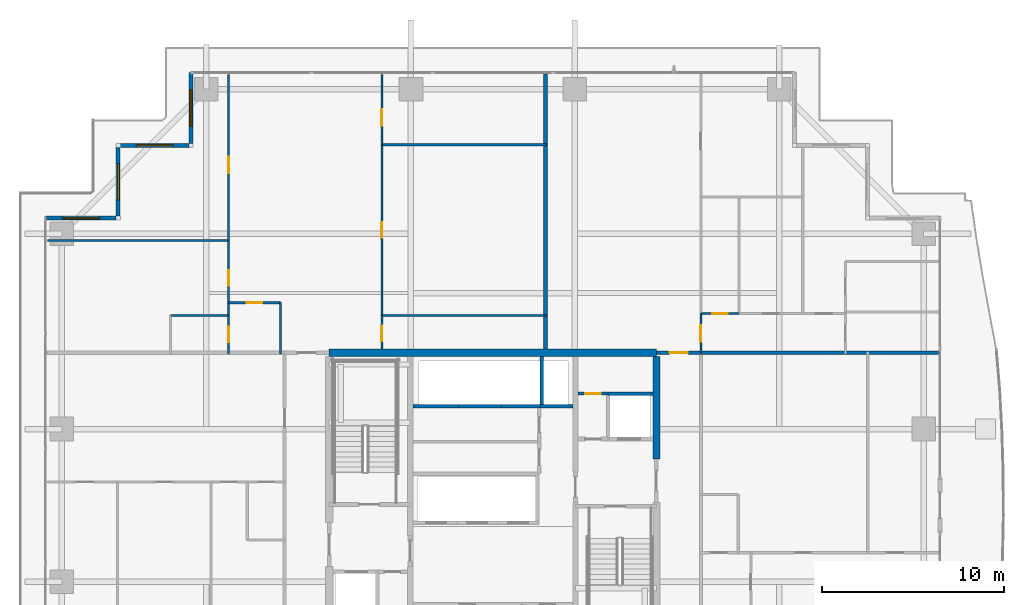
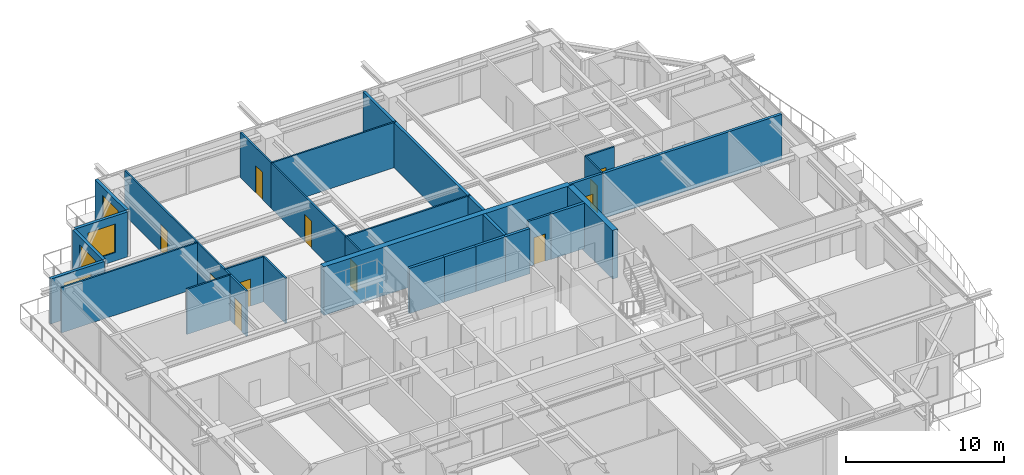
# One storey, part 28 of 35: 30 walls, 11 doors, 4 windows, 15 openings.
"""IFC4 building model written with IfcOpenShell, lengths in metres."""

from ifc_helpers import new_model, si_unit, direction, frame, frame_2d, origin, place, context, subcontext, project, spatial, rectangle, extrude, source, transform, mapped, material, layer, layer_set, type_object, element, fill, save


model = new_model("IFC4")

# Units and contexts
model_context = context("Model", 3, precision=1e-05, world=origin(), true_north=direction((0.0, 1.0)))
body_context = subcontext(model_context, "Body", "Model", "MODEL_VIEW")
ifc_project = project(units=[si_unit("LENGTHUNIT", "METRE"), si_unit("AREAUNIT", "SQUARE_METRE"), si_unit("VOLUMEUNIT", "CUBIC_METRE"), si_unit("PLANEANGLEUNIT", "RADIAN"), si_unit("MASSUNIT", "GRAM", prefix="KILO")], contexts=[model_context])

# Site, building, storey
site_placement = place(None, origin())
site = spatial("IfcSite", under=ifc_project, at=site_placement, CompositionType="ELEMENT")
building_placement = place(site_placement, origin())
building = spatial("IfcBuilding", under=site, at=building_placement, Name="Serunith Strait Residences", CompositionType="ELEMENT")
storey_placement = place(building_placement, frame((0.0, 0.0, 191.39990234375)))
storey = spatial("IfcBuildingStorey", under=building, at=storey_placement, Name="L48", CompositionType="ELEMENT", Elevation=191.39990234375)

# Wall, opening, window
ifc_material_1 = material(Name="Pale-Champagne Aluminium Insulated Panel", Category="aluminium")
ifc_layer_1 = layer(ifc_material_1, 0.219970703125, Name="Pale-Champagne Aluminium Insulated Panel")
ifc_layer_set_1 = layer_set([ifc_layer_1], Name="Pale-Champagne Aluminium Insulated Panel")
wall_type_1 = type_object("IfcWallType", Name="EW-ALUM-220", PredefinedType="ELEMENTEDWALL", material=ifc_layer_set_1)
wall_1_placement = place(storey_placement, frame((15.800048828125, 49.0, 0.0), z_axis=(0.0, 0.0, 1.0), x_axis=(0.0, -1.0, 0.0)))
wall_1 = element("IfcWall", 1, at=wall_1_placement, inside=storey, type_object=wall_type_1, Name="L48 Girih Serrated Corner Wall 12", PredefinedType="ELEMENTEDWALL", context=body_context, shape_type="SweptSolid", body=[
    extrude(rectangle(XDim=3.889892578125, YDim=0.219970703125, at=frame_2d((1.94482421875, 0.0))), origin(), (0.0, 0.0, 1.0), 3.47509765625),
])
opening_1_placement = place(wall_1_placement, frame((0.945068359375, 0.0, 0.64990234375)))
opening_1 = element("IfcOpeningElement", 2, at=opening_1_placement, cuts=wall_1, Name="Opening W-04", PredefinedType="OPENING", context=body_context, shape_type="SweptSolid", body=[
    extrude(rectangle(XDim=2.0, YDim=2.199951171875, at=frame_2d((1.0, 1.10009765625))), frame((0.0, 0.1201171875, 0.0), z_axis=(0.0, -1.0, 0.0), x_axis=(1.0, 0.0, 0.0)), (0.0, 0.0, 1.0), 0.239990234375),
])
ifc_material_2 = material(Name="Ceramic-Fritted Operable Aluminium Window Glass", Category="aluminium")
window_type = type_object("IfcWindowType", Name="WIN-C4", PartitioningType="TRIPLE_PANEL_VERTICAL", PredefinedType="WINDOW", material=ifc_material_2)
shared_shape_1 = source(origin(), body_context, "Body", "SweptSolid", [
    extrude(rectangle(XDim=2.0, YDim=2.199951171875, at=frame_2d((1.0, 1.10009765625))), frame((0.0, 0.030029296875, 0.0), z_axis=(0.0, -1.0, 0.0), x_axis=(1.0, 0.0, 0.0)), (0.0, 0.0, 1.0), 0.06005859375),
])
window_1_placement = place(opening_1_placement, origin())
window_1 = element("IfcWindow", 3, at=window_1_placement, inside=storey, type_object=window_type, Name="L48 Corner Operable Fritted Window 12", OverallHeight=2.199951171875, OverallWidth=2.0, PartitioningType="SINGLE_PANEL", PredefinedType="WINDOW", context=body_context, shape_type="MappedRepresentation", body=[
    mapped(shared_shape_1, transform((0.0, 0.0, 0.0), scale=1.0)),
])
fill(opening_1, window_1)

wall_2_placement = place(storey_placement, frame((15.68994140625, 45.0, 0.0), z_axis=(0.0, 0.0, 1.0), x_axis=(-1.0, 0.0, 0.0)))
wall_2 = element("IfcWall", 4, at=wall_2_placement, inside=storey, type_object=wall_type_1, Name="L48 Girih Serrated Corner Wall 13", PredefinedType="ELEMENTEDWALL", context=body_context, shape_type="SweptSolid", body=[
    extrude(rectangle(XDim=3.780029296875, YDim=0.219970703125, at=frame_2d((1.89013671875, 0.0))), origin(), (0.0, 0.0, 1.0), 3.47509765625),
])
opening_2_placement = place(wall_2_placement, frame((0.889892578125, 0.0, 0.64990234375)))
opening_2 = element("IfcOpeningElement", 5, at=opening_2_placement, cuts=wall_2, Name="Opening W-04", PredefinedType="OPENING", context=body_context, shape_type="SweptSolid", body=[
    extrude(rectangle(XDim=2.0, YDim=2.199951171875, at=frame_2d((1.0, 1.10009765625))), frame((0.0, 0.1201171875, 0.0), z_axis=(0.0, -1.0, 0.0), x_axis=(1.0, 0.0, 0.0)), (0.0, 0.0, 1.0), 0.239990234375),
])
window_2_placement = place(opening_2_placement, origin())
window_2 = element("IfcWindow", 6, at=window_2_placement, inside=storey, type_object=window_type, Name="L48 Corner Operable Fritted Window 13", OverallHeight=2.199951171875, OverallWidth=2.0, PartitioningType="SINGLE_PANEL", PredefinedType="WINDOW", context=body_context, shape_type="MappedRepresentation", body=[
    mapped(shared_shape_1, transform((0.0, 0.0, 0.0), scale=1.0)),
])
fill(opening_2, window_2)

wall_3_placement = place(storey_placement, frame((11.800048828125, 44.889892578125, 0.0), z_axis=(0.0, 0.0, 1.0), x_axis=(0.0, -1.0, 0.0)))
wall_3 = element("IfcWall", 7, at=wall_3_placement, inside=storey, type_object=wall_type_1, Name="L48 Girih Serrated Corner Wall 14", PredefinedType="ELEMENTEDWALL", context=body_context, shape_type="SweptSolid", body=[
    extrude(rectangle(XDim=3.77978515625, YDim=0.219970703125, at=frame_2d((1.889892578125, 0.0))), origin(), (0.0, 0.0, 1.0), 3.47509765625),
])
opening_3_placement = place(wall_3_placement, frame((0.889892578125, 0.0, 0.64990234375)))
opening_3 = element("IfcOpeningElement", 8, at=opening_3_placement, cuts=wall_3, Name="Opening W-04", PredefinedType="OPENING", context=body_context, shape_type="SweptSolid", body=[
    extrude(rectangle(XDim=2.0, YDim=2.199951171875, at=frame_2d((1.0, 1.10009765625))), frame((0.0, 0.1201171875, 0.0), z_axis=(0.0, -1.0, 0.0), x_axis=(1.0, 0.0, 0.0)), (0.0, 0.0, 1.0), 0.239990234375),
])
window_3_placement = place(opening_3_placement, origin())
window_3 = element("IfcWindow", 9, at=window_3_placement, inside=storey, type_object=window_type, Name="L48 Corner Operable Fritted Window 14", OverallHeight=2.199951171875, OverallWidth=2.0, PartitioningType="SINGLE_PANEL", PredefinedType="WINDOW", context=body_context, shape_type="MappedRepresentation", body=[
    mapped(shared_shape_1, transform((0.0, 0.0, 0.0), scale=1.0)),
])
fill(opening_3, window_3)

wall_4_placement = place(storey_placement, frame((11.68994140625, 41.0, 0.0), z_axis=(0.0, 0.0, 1.0), x_axis=(-1.0, 0.0, 0.0)))
wall_4 = element("IfcWall", 10, at=wall_4_placement, inside=storey, type_object=wall_type_1, Name="L48 Girih Serrated Corner Wall 15", PredefinedType="ELEMENTEDWALL", context=body_context, shape_type="SweptSolid", body=[
    extrude(rectangle(XDim=3.889892578125, YDim=0.219970703125, at=frame_2d((1.94482421875, 0.0))), origin(), (0.0, 0.0, 1.0), 3.47509765625),
])
opening_4_placement = place(wall_4_placement, frame((0.945068359375, 0.0, 0.64990234375)))
opening_4 = element("IfcOpeningElement", 11, at=opening_4_placement, cuts=wall_4, Name="Opening W-04", PredefinedType="OPENING", context=body_context, shape_type="SweptSolid", body=[
    extrude(rectangle(XDim=2.0, YDim=2.199951171875, at=frame_2d((1.0, 1.10009765625))), frame((0.0, 0.1201171875, 0.0), z_axis=(0.0, -1.0, 0.0), x_axis=(1.0, 0.0, 0.0)), (0.0, 0.0, 1.0), 0.239990234375),
])
window_4_placement = place(opening_4_placement, origin())
window_4 = element("IfcWindow", 12, at=window_4_placement, inside=storey, type_object=window_type, Name="L48 Corner Operable Fritted Window 15", OverallHeight=2.199951171875, OverallWidth=2.0, PartitioningType="SINGLE_PANEL", PredefinedType="WINDOW", context=body_context, shape_type="MappedRepresentation", body=[
    mapped(shared_shape_1, transform((0.0, 0.0, 0.0), scale=1.0)),
])
fill(opening_4, window_4)

# Wall, opening, door
ifc_material_3 = material(Name="Fire-rated masonry service closet wall", Category="masonry")
ifc_layer_2 = layer(ifc_material_3, 0.14990234375, Name="Fire-rated masonry service closet wall")
ifc_layer_set_2 = layer_set([ifc_layer_2], Name="Fire-rated masonry service closet wall")
wall_type_2 = type_object("IfcWallType", Name="IW-BOH-150", PredefinedType="PARTITIONING", material=ifc_layer_set_2)
wall_5_placement = place(storey_placement, frame((37.10009765625, 31.35009765625, 0.0), z_axis=(0.0, 0.0, 1.0), x_axis=(1.0, 0.0, 0.0)))
wall_5 = element("IfcWall", 13, at=wall_5_placement, inside=storey, type_object=wall_type_2, Name="L48 Partition Wall 013", PredefinedType="PARTITIONING", context=body_context, shape_type="SweptSolid", body=[
    extrude(rectangle(XDim=1.64794921875, YDim=0.14990234375, at=frame_2d((0.823974609375, 0.0))), origin(), (0.0, 0.0, 1.0), 3.489990234375),
])
opening_5_placement = place(wall_5_placement, frame((0.39892578125, 0.0, 0.0)))
opening_5 = element("IfcOpeningElement", 14, at=opening_5_placement, cuts=wall_5, Name="Opening FD-850", PredefinedType="OPENING", context=body_context, shape_type="SweptSolid", body=[
    extrude(rectangle(XDim=0.85009765625, YDim=2.10009765625, at=frame_2d((0.425048828125, 1.050048828125))), frame((0.0, 0.0849609375, 0.0), z_axis=(0.0, -1.0, 0.0), x_axis=(1.0, 0.0, 0.0)), (0.0, 0.0, 1.0), 0.169921875),
])
ifc_material_4 = material(Name="Powder-coated steel service closet door", Category="steel")
door_type_1 = type_object("IfcDoorType", Name="FD-BOH-850", OperationType="NOTDEFINED", PredefinedType="DOOR", material=ifc_material_4)
shared_shape_2 = source(origin(), body_context, "Body", "SweptSolid", [
    extrude(rectangle(XDim=0.85009765625, YDim=2.10009765625, at=frame_2d((0.425048828125, 1.050048828125))), frame((0.0, 0.02490234375, 0.0), z_axis=(0.0, -1.0, 0.0), x_axis=(1.0, 0.0, 0.0)), (0.0, 0.0, 1.0), 0.050048828125),
])
door_1_placement = place(opening_5_placement, origin())
door_1 = element("IfcDoor", 15, at=door_1_placement, inside=storey, type_object=door_type_1, Name="L48 Refuse Store Door", OperationType="SINGLE_SWING_RIGHT", OverallHeight=2.10009765625, OverallWidth=0.85009765625, PredefinedType="DOOR", context=body_context, shape_type="MappedRepresentation", body=[
    mapped(shared_shape_2, transform((0.0, 0.0, 0.0), scale=1.0)),
])
fill(opening_5, door_1)

ifc_material_5 = material(Name="Fire-rated acoustic gypsum partition")
ifc_layer_3 = layer(ifc_material_5, 0.179931640625, Name="Fire-rated acoustic gypsum partition")
ifc_layer_set_3 = layer_set([ifc_layer_3], Name="Fire-rated acoustic gypsum partition")
wall_type_3 = type_object("IfcWallType", Name="IW-CORR-180", PredefinedType="PARTITIONING", material=ifc_layer_set_3)
wall_6_placement = place(storey_placement, frame((41.402099609375, 33.60009765625, 0.0), z_axis=(0.0, 0.0, 1.0), x_axis=(1.0, 0.0, 0.0)))
wall_6 = element("IfcWall", 16, at=wall_6_placement, inside=storey, type_object=wall_type_3, Name="L48 Partition Wall 031", PredefinedType="PARTITIONING", context=body_context, shape_type="SweptSolid", body=[
    extrude(rectangle(XDim=2.44580078125, YDim=0.179931640625, at=frame_2d((1.222900390625, 0.0))), origin(), (0.0, 0.0, 1.0), 3.489990234375),
])
opening_6_placement = place(wall_6_placement, frame((0.722900390625, 0.0, 0.0)))
opening_6 = element("IfcOpeningElement", 17, at=opening_6_placement, cuts=wall_6, Name="Opening D-APT1000", PredefinedType="OPENING", context=body_context, shape_type="SweptSolid", body=[
    extrude(rectangle(XDim=1.0, YDim=2.14990234375, at=frame_2d((0.5, 1.074951171875))), frame((0.0, 0.10009765625, 0.0), z_axis=(0.0, -1.0, 0.0), x_axis=(1.0, 0.0, 0.0)), (0.0, 0.0, 1.0), 0.199951171875),
])
ifc_material_6 = material(Name="Solid timber engineered fire door", Category="wood")
door_type_2 = type_object("IfcDoorType", Name="ID-APT-1000", OperationType="NOTDEFINED", PredefinedType="DOOR", material=ifc_material_6)
shared_shape_3 = source(origin(), body_context, "Body", "SweptSolid", [
    extrude(rectangle(XDim=1.0, YDim=2.14990234375, at=frame_2d((0.5, 1.074951171875))), frame((0.0, 0.02490234375, 0.0), z_axis=(0.0, -1.0, 0.0), x_axis=(1.0, 0.0, 0.0)), (0.0, 0.0, 1.0), 0.050048828125),
])
door_2_placement = place(opening_6_placement, origin())
door_2 = element("IfcDoor", 18, at=door_2_placement, inside=storey, type_object=door_type_2, Name="L48 Unit 05 Entrance Door", OperationType="SINGLE_SWING_LEFT", OverallHeight=2.14990234375, OverallWidth=1.0, PredefinedType="DOOR", context=body_context, shape_type="MappedRepresentation", body=[
    mapped(shared_shape_3, transform((0.0, 0.0, 0.0), scale=1.0)),
])
fill(opening_6, door_2)

ifc_material_7 = material(Name="Lightweight steel-stud gypsum partition", Category="steel")
ifc_layer_4 = layer(ifc_material_7, 0.1201171875, Name="Lightweight steel-stud gypsum partition")
ifc_layer_set_4 = layer_set([ifc_layer_4], Name="Lightweight steel-stud gypsum partition")
wall_type_4 = type_object("IfcWallType", Name="IW-PART-120", PredefinedType="PARTITIONING", material=ifc_layer_set_4)
wall_7_placement = place(storey_placement, frame((17.8701171875, 36.35009765625, 0.0), z_axis=(0.0, 0.0, 1.0), x_axis=(1.0, 0.0, 0.0)))
wall_7 = element("IfcWall", 19, at=wall_7_placement, inside=storey, type_object=wall_type_4, Name="L48 Partition Wall 055", PredefinedType="PARTITIONING", context=body_context, shape_type="SweptSolid", body=[
    extrude(rectangle(XDim=2.849853515625, YDim=0.1201171875, at=frame_2d((1.4248046875, 0.0))), origin(), (0.0, 0.0, 1.0), 3.489990234375),
])
opening_7_placement = place(wall_7_placement, frame((1.0, 0.0, 0.0)))
opening_7 = element("IfcOpeningElement", 20, at=opening_7_placement, cuts=wall_7, Name="Opening D-RM850", PredefinedType="OPENING", context=body_context, shape_type="SweptSolid", body=[
    extrude(rectangle(XDim=0.85009765625, YDim=2.10009765625, at=frame_2d((0.425048828125, 1.050048828125))), frame((0.0, 0.070068359375, 0.0), z_axis=(0.0, -1.0, 0.0), x_axis=(1.0, 0.0, 0.0)), (0.0, 0.0, 1.0), 0.14013671875),
])
ifc_material_8 = material(Name="Engineered timber flush study and kitchen door", Category="wood")
door_type_3 = type_object("IfcDoorType", Name="ID-ROOM-850", OperationType="NOTDEFINED", PredefinedType="DOOR", material=ifc_material_8)
door_3_placement = place(opening_7_placement, origin())
door_3 = element("IfcDoor", 21, at=door_3_placement, inside=storey, type_object=door_type_3, Name="L48 Kitchen 4804 Door", OperationType="SINGLE_SWING_RIGHT", OverallHeight=2.10009765625, OverallWidth=0.85009765625, PredefinedType="DOOR", context=body_context, shape_type="MappedRepresentation", body=[
    mapped(shared_shape_2, transform((0.0, 0.0, 0.0), scale=1.0)),
])
fill(opening_7, door_3)

# Wall
wall_8_placement = place(storey_placement, frame((20.719970703125, 36.35009765625, 0.0), z_axis=(0.0, 0.0, 1.0), x_axis=(0.0, -1.0, 0.0)))
element("IfcWall", 22, at=wall_8_placement, inside=storey, type_object=wall_type_4, Name="L48 Partition Wall 056", PredefinedType="PARTITIONING", context=body_context, shape_type="SweptSolid", body=[
    extrude(rectangle(XDim=2.81005859375, YDim=0.1201171875, at=frame_2d((1.405029296875, 0.0))), origin(), (0.0, 0.0, 1.0), 3.489990234375),
])

# Wall, opening, door
wall_9_placement = place(storey_placement, frame((17.8701171875, 48.905029296875, 0.0), z_axis=(0.0, 0.0, 1.0), x_axis=(0.0, -1.0, 0.0)))
wall_9 = element("IfcWall", 23, at=wall_9_placement, inside=storey, type_object=wall_type_4, Name="L48 Partition Wall 057", PredefinedType="PARTITIONING", context=body_context, shape_type="SweptSolid", body=[
    extrude(rectangle(XDim=9.14013671875, YDim=0.1201171875, at=frame_2d((4.570068359375, 0.0))), origin(), (0.0, 0.0, 1.0), 3.489990234375),
])
opening_8_placement = place(wall_9_placement, frame((4.531982421875, 0.0, 0.0)))
opening_8 = element("IfcOpeningElement", 24, at=opening_8_placement, cuts=wall_9, Name="Opening D-RM900", PredefinedType="OPENING", context=body_context, shape_type="SweptSolid", body=[
    extrude(rectangle(XDim=0.89990234375, YDim=2.10009765625, at=frame_2d((0.449951171875, 1.050048828125))), frame((0.0, 0.070068359375, 0.0), z_axis=(0.0, -1.0, 0.0), x_axis=(1.0, 0.0, 0.0)), (0.0, 0.0, 1.0), 0.14013671875),
])
ifc_material_9 = material(Name="Engineered timber flush bedroom door", Category="wood")
door_type_4 = type_object("IfcDoorType", Name="ID-ROOM-900", OperationType="NOTDEFINED", PredefinedType="DOOR", material=ifc_material_9)
shared_shape_4 = source(origin(), body_context, "Body", "SweptSolid", [
    extrude(rectangle(XDim=0.89990234375, YDim=2.10009765625, at=frame_2d((0.449951171875, 1.050048828125))), frame((0.0, 0.02490234375, 0.0), z_axis=(0.0, -1.0, 0.0), x_axis=(1.0, 0.0, 0.0)), (0.0, 0.0, 1.0), 0.050048828125),
])
door_4_placement = place(opening_8_placement, origin())
door_4 = element("IfcDoor", 25, at=door_4_placement, inside=storey, type_object=door_type_4, Name="L48 Master Bedroom 1 4804 Door", OperationType="SINGLE_SWING_LEFT", OverallHeight=2.10009765625, OverallWidth=0.89990234375, PredefinedType="DOOR", context=body_context, shape_type="MappedRepresentation", body=[
    mapped(shared_shape_4, transform((0.0, 0.0, 0.0), scale=1.0)),
])
fill(opening_8, door_4)

# Walls
wall_10_placement = place(storey_placement, frame((7.89501953125, 39.764892578125, 0.0), z_axis=(0.0, 0.0, 1.0), x_axis=(1.0, 0.0, 0.0)))
element("IfcWall", 26, at=wall_10_placement, inside=storey, type_object=wall_type_4, Name="L48 Partition Wall 058", PredefinedType="PARTITIONING", context=body_context, shape_type="SweptSolid", body=[
    extrude(rectangle(XDim=9.97509765625, YDim=0.1201171875, at=frame_2d((4.987548828125, 0.0))), origin(), (0.0, 0.0, 1.0), 3.489990234375),
])
wall_11_placement = place(storey_placement, frame((14.669921875, 35.64990234375, 0.0), z_axis=(0.0, 0.0, 1.0), x_axis=(1.0, 0.0, 0.0)))
element("IfcWall", 27, at=wall_11_placement, inside=storey, type_object=wall_type_4, Name="L48 Partition Wall 059", PredefinedType="PARTITIONING", context=body_context, shape_type="SweptSolid", body=[
    extrude(rectangle(XDim=3.2001953125, YDim=0.1201171875, at=frame_2d((1.60009765625, 0.0))), origin(), (0.0, 0.0, 1.0), 3.489990234375),
])

# Wall, opening, door
wall_12_placement = place(storey_placement, frame((17.8701171875, 39.762939453125, 0.0), z_axis=(0.0, 0.0, 1.0), x_axis=(0.0, -1.0, 0.0)))
wall_12 = element("IfcWall", 28, at=wall_12_placement, inside=storey, type_object=wall_type_4, Name="L48 Partition Wall 061", PredefinedType="PARTITIONING", context=body_context, shape_type="SweptSolid", body=[
    extrude(rectangle(XDim=4.113037109375, YDim=0.1201171875, at=frame_2d((2.056640625, 0.0))), origin(), (0.0, 0.0, 1.0), 3.489990234375),
])
opening_9_placement = place(wall_12_placement, frame((1.631103515625, 0.0, 0.0)))
opening_9 = element("IfcOpeningElement", 29, at=opening_9_placement, cuts=wall_12, Name="Opening D-RM850", PredefinedType="OPENING", context=body_context, shape_type="SweptSolid", body=[
    extrude(rectangle(XDim=0.85009765625, YDim=2.10009765625, at=frame_2d((0.425048828125, 1.050048828125))), frame((0.0, 0.070068359375, 0.0), z_axis=(0.0, -1.0, 0.0), x_axis=(1.0, 0.0, 0.0)), (0.0, 0.0, 1.0), 0.14013671875),
])
door_5_placement = place(opening_9_placement, origin())
door_5 = element("IfcDoor", 30, at=door_5_placement, inside=storey, type_object=door_type_3, Name="L48 Walk-in Wardrobe 4804 Door", OperationType="SINGLE_SWING_RIGHT", OverallHeight=2.10009765625, OverallWidth=0.85009765625, PredefinedType="DOOR", context=body_context, shape_type="MappedRepresentation", body=[
    mapped(shared_shape_2, transform((0.0, 0.0, 0.0), scale=1.0)),
])
fill(opening_9, door_5)

wall_13_placement = place(storey_placement, frame((17.8701171875, 35.64794921875, 0.0), z_axis=(0.0, 0.0, 1.0), x_axis=(0.0, -1.0, 0.0)))
wall_13 = element("IfcWall", 31, at=wall_13_placement, inside=storey, type_object=wall_type_4, Name="L48 Partition Wall 062", PredefinedType="PARTITIONING", context=body_context, shape_type="SweptSolid", body=[
    extrude(rectangle(XDim=2.10791015625, YDim=0.1201171875, at=frame_2d((1.053955078125, 0.0))), origin(), (0.0, 0.0, 1.0), 3.489990234375),
])
opening_10_placement = place(wall_13_placement, frame((0.62890625, 0.0, 0.0)))
opening_10 = element("IfcOpeningElement", 32, at=opening_10_placement, cuts=wall_13, Name="Opening D-BTH850", PredefinedType="OPENING", context=body_context, shape_type="SweptSolid", body=[
    extrude(rectangle(XDim=0.85009765625, YDim=2.10009765625, at=frame_2d((0.425048828125, 1.050048828125))), frame((0.0, 0.070068359375, 0.0), z_axis=(0.0, -1.0, 0.0), x_axis=(1.0, 0.0, 0.0)), (0.0, 0.0, 1.0), 0.14013671875),
])
ifc_material_10 = material(Name="Moisture-resistant timber bathroom door", Category="wood")
door_type_5 = type_object("IfcDoorType", Name="ID-BATH-850", OperationType="NOTDEFINED", PredefinedType="DOOR", material=ifc_material_10)
door_6_placement = place(opening_10_placement, origin())
door_6 = element("IfcDoor", 33, at=door_6_placement, inside=storey, type_object=door_type_5, Name="L48 Bathroom 4804 Door", OperationType="SINGLE_SWING_LEFT", OverallHeight=2.10009765625, OverallWidth=0.85009765625, PredefinedType="DOOR", context=body_context, shape_type="MappedRepresentation", body=[
    mapped(shared_shape_2, transform((0.0, 0.0, 0.0), scale=1.0)),
])
fill(opening_10, door_6)

wall_14_placement = place(storey_placement, frame((26.300048828125, 48.905029296875, 0.0), z_axis=(0.0, 0.0, 1.0), x_axis=(0.0, -1.0, 0.0)))
wall_14 = element("IfcWall", 34, at=wall_14_placement, inside=storey, type_object=wall_type_4, Name="L48 Partition Wall 063", PredefinedType="PARTITIONING", context=body_context, shape_type="SweptSolid", body=[
    extrude(rectangle(XDim=3.867919921875, YDim=0.1201171875, at=frame_2d((1.93408203125, 0.0))), origin(), (0.0, 0.0, 1.0), 3.489990234375),
])
opening_11_placement = place(wall_14_placement, frame((1.912109375, 0.0, 0.0)))
opening_11 = element("IfcOpeningElement", 35, at=opening_11_placement, cuts=wall_14, Name="Opening D-RM900", PredefinedType="OPENING", context=body_context, shape_type="SweptSolid", body=[
    extrude(rectangle(XDim=0.89990234375, YDim=2.10009765625, at=frame_2d((0.449951171875, 1.050048828125))), frame((0.0, 0.070068359375, 0.0), z_axis=(0.0, -1.0, 0.0), x_axis=(1.0, 0.0, 0.0)), (0.0, 0.0, 1.0), 0.14013671875),
])
door_7_placement = place(opening_11_placement, origin())
door_7 = element("IfcDoor", 36, at=door_7_placement, inside=storey, type_object=door_type_4, Name="L48 Bedroom 2 4804 Door", OperationType="SINGLE_SWING_RIGHT", OverallHeight=2.10009765625, OverallWidth=0.89990234375, PredefinedType="DOOR", context=body_context, shape_type="MappedRepresentation", body=[
    mapped(shared_shape_4, transform((0.0, 0.0, 0.0), scale=1.0)),
])
fill(opening_11, door_7)

# Walls
for number, where, z_axis, x_axis, name in (
    (37, (26.300048828125, 45.037109375, 0.0), (0.0, 0.0, 1.0), (1.0, 0.0, 0.0), "L48 Partition Wall 064"),
    (38, (26.300048828125, 35.64990234375, 0.0), (0.0, 0.0, 1.0), (1.0, 0.0, 0.0), "L48 Partition Wall 065"),
):
    element("IfcWall", number, at=place(storey_placement, frame(where, z_axis=z_axis, x_axis=x_axis)), inside=storey, type_object=wall_type_4, Name=name, PredefinedType="PARTITIONING", context=body_context, shape_type="SweptSolid", body=[
        extrude(rectangle(XDim=9.06005859375, YDim=0.1201171875, at=frame_2d((4.530029296875, 0.0))), origin(), (0.0, 0.0, 1.0), 3.489990234375),
    ])

# Wall, opening, door
wall_15_placement = place(storey_placement, frame((26.300048828125, 45.034912109375, 0.0), z_axis=(0.0, 0.0, 1.0), x_axis=(0.0, -1.0, 0.0)))
wall_15 = element("IfcWall", 39, at=wall_15_placement, inside=storey, type_object=wall_type_4, Name="L48 Partition Wall 066", PredefinedType="PARTITIONING", context=body_context, shape_type="SweptSolid", body=[
    extrude(rectangle(XDim=9.385009765625, YDim=0.1201171875, at=frame_2d((4.6923828125, 0.0))), origin(), (0.0, 0.0, 1.0), 3.489990234375),
])
opening_12_placement = place(wall_15_placement, frame((4.26708984375, 0.0, 0.0)))
opening_12 = element("IfcOpeningElement", 40, at=opening_12_placement, cuts=wall_15, Name="Opening D-RM850", PredefinedType="OPENING", context=body_context, shape_type="SweptSolid", body=[
    extrude(rectangle(XDim=0.85009765625, YDim=2.10009765625, at=frame_2d((0.425048828125, 1.050048828125))), frame((0.0, 0.070068359375, 0.0), z_axis=(0.0, -1.0, 0.0), x_axis=(1.0, 0.0, 0.0)), (0.0, 0.0, 1.0), 0.14013671875),
])
door_8_placement = place(opening_12_placement, origin())
door_8 = element("IfcDoor", 41, at=door_8_placement, inside=storey, type_object=door_type_3, Name="L48 Walk-in Wardrobe 4804 Door", OperationType="SINGLE_SWING_LEFT", OverallHeight=2.10009765625, OverallWidth=0.85009765625, PredefinedType="DOOR", context=body_context, shape_type="MappedRepresentation", body=[
    mapped(shared_shape_2, transform((0.0, 0.0, 0.0), scale=1.0)),
])
fill(opening_12, door_8)

wall_16_placement = place(storey_placement, frame((26.300048828125, 35.64794921875, 0.0), z_axis=(0.0, 0.0, 1.0), x_axis=(0.0, -1.0, 0.0)))
wall_16 = element("IfcWall", 42, at=wall_16_placement, inside=storey, type_object=wall_type_4, Name="L48 Partition Wall 067", PredefinedType="PARTITIONING", context=body_context, shape_type="SweptSolid", body=[
    extrude(rectangle(XDim=1.847900390625, YDim=0.1201171875, at=frame_2d((0.923828125, 0.0))), origin(), (0.0, 0.0, 1.0), 3.489990234375),
])
opening_13_placement = place(wall_16_placement, frame((0.569091796875, 0.0, 0.0)))
opening_13 = element("IfcOpeningElement", 43, at=opening_13_placement, cuts=wall_16, Name="Opening D-BTH850", PredefinedType="OPENING", context=body_context, shape_type="SweptSolid", body=[
    extrude(rectangle(XDim=0.85009765625, YDim=2.10009765625, at=frame_2d((0.425048828125, 1.050048828125))), frame((0.0, 0.070068359375, 0.0), z_axis=(0.0, -1.0, 0.0), x_axis=(1.0, 0.0, 0.0)), (0.0, 0.0, 1.0), 0.14013671875),
])
door_9_placement = place(opening_13_placement, origin())
door_9 = element("IfcDoor", 44, at=door_9_placement, inside=storey, type_object=door_type_5, Name="L48 Bathroom 4804 Door", OperationType="SINGLE_SWING_RIGHT", OverallHeight=2.10009765625, OverallWidth=0.85009765625, PredefinedType="DOOR", context=body_context, shape_type="MappedRepresentation", body=[
    mapped(shared_shape_2, transform((0.0, 0.0, 0.0), scale=1.0)),
])
fill(opening_13, door_9)

wall_17_placement = place(storey_placement, frame((43.85009765625, 35.75, 0.0), z_axis=(0.0, 0.0, 1.0), x_axis=(0.0, -1.0, 0.0)))
wall_17 = element("IfcWall", 45, at=wall_17_placement, inside=storey, type_object=wall_type_4, Name="L48 Partition Wall 068", PredefinedType="PARTITIONING", context=body_context, shape_type="SweptSolid", body=[
    extrude(rectangle(XDim=2.14794921875, YDim=0.1201171875, at=frame_2d((1.073974609375, 0.0))), origin(), (0.0, 0.0, 1.0), 3.489990234375),
])
opening_14_placement = place(wall_17_placement, frame((0.64208984375, 0.0, 0.0)))
opening_14 = element("IfcOpeningElement", 46, at=opening_14_placement, cuts=wall_17, Name="Opening D-RM900", PredefinedType="OPENING", context=body_context, shape_type="SweptSolid", body=[
    extrude(rectangle(XDim=0.89990234375, YDim=2.10009765625, at=frame_2d((0.449951171875, 1.050048828125))), frame((0.0, 0.070068359375, 0.0), z_axis=(0.0, -1.0, 0.0), x_axis=(1.0, 0.0, 0.0)), (0.0, 0.0, 1.0), 0.14013671875),
])
door_10_placement = place(opening_14_placement, origin())
door_10 = element("IfcDoor", 47, at=door_10_placement, inside=storey, type_object=door_type_4, Name="L48 Hall E 4805 Door", OperationType="SINGLE_SWING_LEFT", OverallHeight=2.10009765625, OverallWidth=0.89990234375, PredefinedType="DOOR", context=body_context, shape_type="MappedRepresentation", body=[
    mapped(shared_shape_4, transform((0.0, 0.0, 0.0), scale=1.0)),
])
fill(opening_14, door_10)

wall_18_placement = place(storey_placement, frame((43.85009765625, 35.75, 0.0), z_axis=(0.0, 0.0, 1.0), x_axis=(1.0, 0.0, 0.0)))
wall_18 = element("IfcWall", 48, at=wall_18_placement, inside=storey, type_object=wall_type_4, Name="L48 Partition Wall 074", PredefinedType="PARTITIONING", context=body_context, shape_type="SweptSolid", body=[
    extrude(rectangle(XDim=2.099853515625, YDim=0.1201171875, at=frame_2d((1.0498046875, 0.0))), origin(), (0.0, 0.0, 1.0), 3.489990234375),
])
opening_15_placement = place(wall_18_placement, frame((0.625, 0.0, 0.0)))
opening_15 = element("IfcOpeningElement", 49, at=opening_15_placement, cuts=wall_18, Name="Opening D-BTH850", PredefinedType="OPENING", context=body_context, shape_type="SweptSolid", body=[
    extrude(rectangle(XDim=0.85009765625, YDim=2.10009765625, at=frame_2d((0.425048828125, 1.050048828125))), frame((0.0, 0.070068359375, 0.0), z_axis=(0.0, -1.0, 0.0), x_axis=(1.0, 0.0, 0.0)), (0.0, 0.0, 1.0), 0.14013671875),
])
door_11_placement = place(opening_15_placement, origin())
door_11 = element("IfcDoor", 50, at=door_11_placement, inside=storey, type_object=door_type_5, Name="L48 Bathroom 4805 Door", OperationType="SINGLE_SWING_LEFT", OverallHeight=2.10009765625, OverallWidth=0.85009765625, PredefinedType="DOOR", context=body_context, shape_type="MappedRepresentation", body=[
    mapped(shared_shape_2, transform((0.0, 0.0, 0.0), scale=1.0)),
])
fill(opening_15, door_11)

# Walls
ifc_material_11 = material(Name="Twin-stud acoustic gypsum board partition")
ifc_layer_5 = layer(ifc_material_11, 0.199951171875, Name="Twin-stud acoustic gypsum board partition")
ifc_layer_set_5 = layer_set([ifc_layer_5], Name="Twin-stud acoustic gypsum board partition")
wall_type_5 = type_object("IfcWallType", Name="IW-PARTY-200", PredefinedType="PARTITIONING", material=ifc_layer_set_5)
wall_19_placement = place(storey_placement, frame((35.300048828125, 33.800048828125, 0.0), z_axis=(0.0, 0.0, 1.0), x_axis=(0.0, 1.0, 0.0)))
element("IfcWall", 51, at=wall_19_placement, inside=storey, type_object=wall_type_5, Name="L48 Partition Wall 022", PredefinedType="PARTITIONING", context=body_context, shape_type="SweptSolid", body=[
    extrude(rectangle(XDim=15.117919921875, YDim=0.199951171875, at=frame_2d((7.55908203125, 0.0))), origin(), (0.0, 0.0, 1.0), 3.489990234375),
])
wall_20_placement = place(storey_placement, frame((43.85009765625, 33.60009765625, 0.0), z_axis=(0.0, 0.0, 1.0), x_axis=(1.0, 0.0, 0.0)))
element("IfcWall", 52, at=wall_20_placement, inside=storey, type_object=wall_type_5, Name="L48 Partition Wall 026", PredefinedType="PARTITIONING", context=body_context, shape_type="SweptSolid", body=[
    extrude(rectangle(XDim=13.06787109375, YDim=0.199951171875, at=frame_2d((6.533935546875, 0.0))), origin(), (0.0, 0.0, 1.0), 3.489990234375),
])
ifc_material_12 = material(Name="Autoclaved aerated concrete blockwork", Category="masonry")
ifc_layer_6 = layer(ifc_material_12, 0.199951171875, Name="Autoclaved aerated concrete blockwork")
ifc_layer_set_6 = layer_set([ifc_layer_6], Name="Autoclaved aerated concrete blockwork")
wall_type_6 = type_object("IfcWallType", Name="IW-SHAFT-200", PredefinedType="STANDARD", material=ifc_layer_set_6)
wall_21_placement = place(storey_placement, frame((28.0, 30.64990234375, 0.0), z_axis=(0.0, 0.0, 1.0), x_axis=(1.0, 0.0, 0.0)))
element("IfcWall", 53, at=wall_21_placement, inside=storey, type_object=wall_type_6, Name="L48 PL-7 South Shaft Wall", PredefinedType="STANDARD", context=body_context, shape_type="SweptSolid", body=[
    extrude(rectangle(XDim=2.550048828125, YDim=0.199951171875, at=frame_2d((1.27490234375, 0.0))), origin(), (0.0, 0.0, 1.0), 3.489990234375),
])
wall_22_placement = place(storey_placement, frame((30.550048828125, 30.64990234375, 0.0), z_axis=(0.0, 0.0, 1.0), x_axis=(1.0, 0.0, 0.0)))
element("IfcWall", 54, at=wall_22_placement, inside=storey, type_object=wall_type_6, Name="L48 PL-8 South Shaft Wall", PredefinedType="STANDARD", context=body_context, shape_type="SweptSolid", body=[
    extrude(rectangle(XDim=2.300048828125, YDim=0.199951171875, at=frame_2d((1.14990234375, 0.0))), origin(), (0.0, 0.0, 1.0), 3.489990234375),
])
wall_23_placement = place(storey_placement, frame((32.85009765625, 30.64990234375, 0.0), z_axis=(0.0, 0.0, 1.0), x_axis=(1.0, 0.0, 0.0)))
element("IfcWall", 55, at=wall_23_placement, inside=storey, type_object=wall_type_6, Name="L48 PL-9 South Shaft Wall", PredefinedType="STANDARD", context=body_context, shape_type="SweptSolid", body=[
    extrude(rectangle(XDim=2.14990234375, YDim=0.199951171875, at=frame_2d((1.074951171875, 0.0))), origin(), (0.0, 0.0, 1.0), 3.489990234375),
])
wall_24_placement = place(storey_placement, frame((35.0, 30.64990234375, 0.0), z_axis=(0.0, 0.0, 1.0), x_axis=(1.0, 0.0, 0.0)))
element("IfcWall", 56, at=wall_24_placement, inside=storey, type_object=wall_type_6, Name="L48 SL-1 South Shaft Wall", PredefinedType="STANDARD", context=body_context, shape_type="SweptSolid", body=[
    extrude(rectangle(XDim=1.800048828125, YDim=0.199951171875, at=frame_2d((0.89990234375, 0.0))), origin(), (0.0, 0.0, 1.0), 3.489990234375),
])
wall_25_placement = place(storey_placement, frame((35.10009765625, 30.75, 0.0), z_axis=(0.0, 0.0, 1.0), x_axis=(0.0, 1.0, 0.0)))
element("IfcWall", 57, at=wall_25_placement, inside=storey, type_object=wall_type_6, Name="L48 SL-1 West Shaft Wall", PredefinedType="STANDARD", context=body_context, shape_type="SweptSolid", body=[
    extrude(rectangle(XDim=2.64990234375, YDim=0.199951171875, at=frame_2d((1.324951171875, 0.0))), origin(), (0.0, 0.0, 1.0), 3.489990234375),
])
wall_26_placement = place(storey_placement, frame((38.75, 31.35009765625, 0.0), z_axis=(0.0, 0.0, 1.0), x_axis=(1.0, 0.0, 0.0)))
element("IfcWall", 58, at=wall_26_placement, inside=storey, type_object=wall_type_6, Name="L48 Partition Wall 005", PredefinedType="STANDARD", context=body_context, shape_type="SweptSolid", body=[
    extrude(rectangle(XDim=2.449951171875, YDim=0.199951171875, at=frame_2d((1.22509765625, 0.0))), origin(), (0.0, 0.0, 1.0), 3.489990234375),
])
ifc_material_13 = material(Name="Concrete C70/85", Category="concrete")
ifc_layer_7 = layer(ifc_material_13, 0.39990234375, Name="Concrete C70/85")
ifc_layer_set_7 = layer_set([ifc_layer_7], Name="Concrete C70/85")
wall_type_7 = type_object("IfcWallType", Name="SW-400-C70", PredefinedType="SHEAR", material=ifc_layer_set_7)
wall_27_placement = place(storey_placement, frame((41.39990234375, 33.60009765625, -0.260009765625), z_axis=(0.0, 0.0, 1.0), x_axis=(-1.0, 0.0, 0.0)))
element("IfcWall", 59, at=wall_27_placement, inside=storey, type_object=wall_type_7, Name="L48 Core North Shear Wall", PredefinedType="SHEAR", context=body_context, shape_type="SweptSolid", body=[
    extrude(rectangle(XDim=18.0, YDim=0.39990234375, at=frame_2d((9.0, 0.0))), origin(), (0.0, 0.0, 1.0), 3.748046875),
])
wall_28_placement = place(storey_placement, frame((41.39990234375, 27.75, -0.260009765625), z_axis=(0.0, 0.0, 1.0), x_axis=(0.0, 1.0, 0.0)))
element("IfcWall", 60, at=wall_28_placement, inside=storey, type_object=wall_type_7, Name="L48 Core East Shear Wall North Pier", PredefinedType="SHEAR", context=body_context, shape_type="SweptSolid", body=[
    extrude(rectangle(XDim=5.64990234375, YDim=0.39990234375, at=frame_2d((2.824951171875, 0.0))), origin(), (0.0, 0.0, 1.0), 3.748046875),
])

save(model, "model.ifc")
